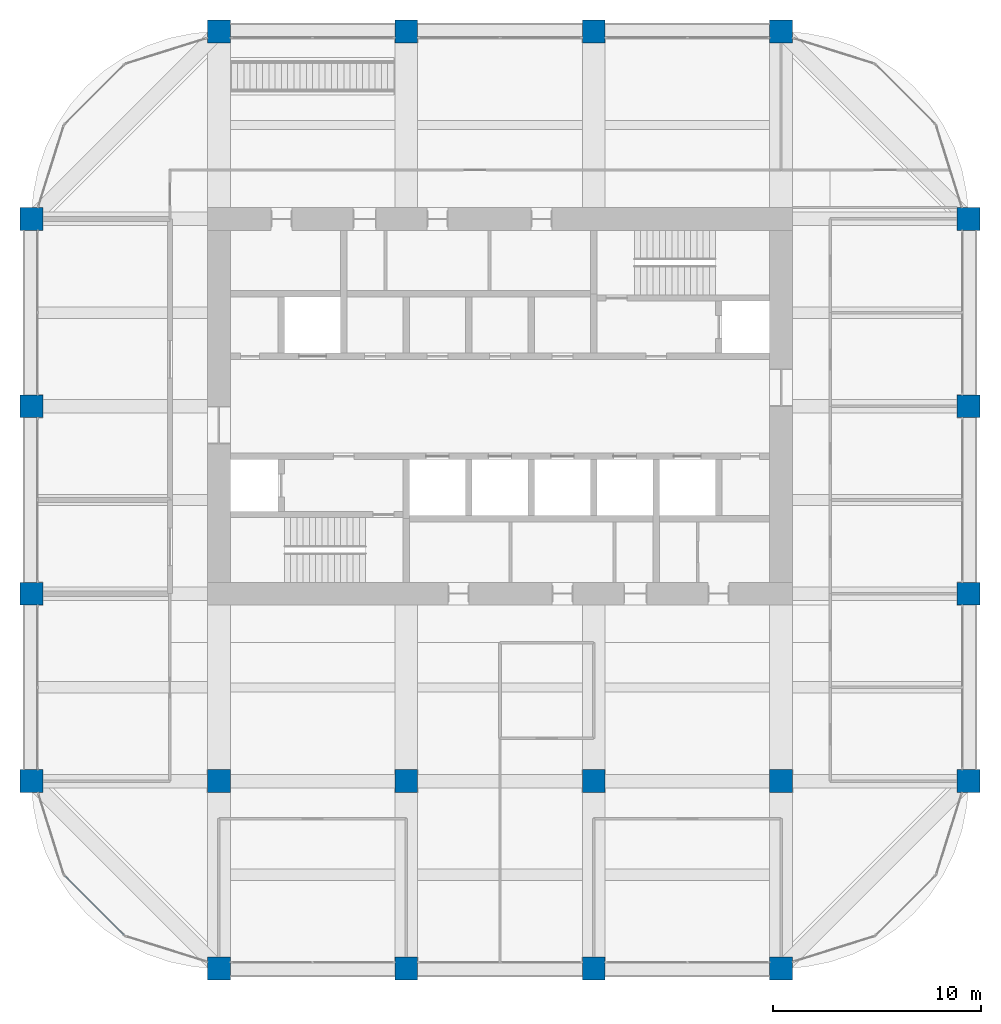
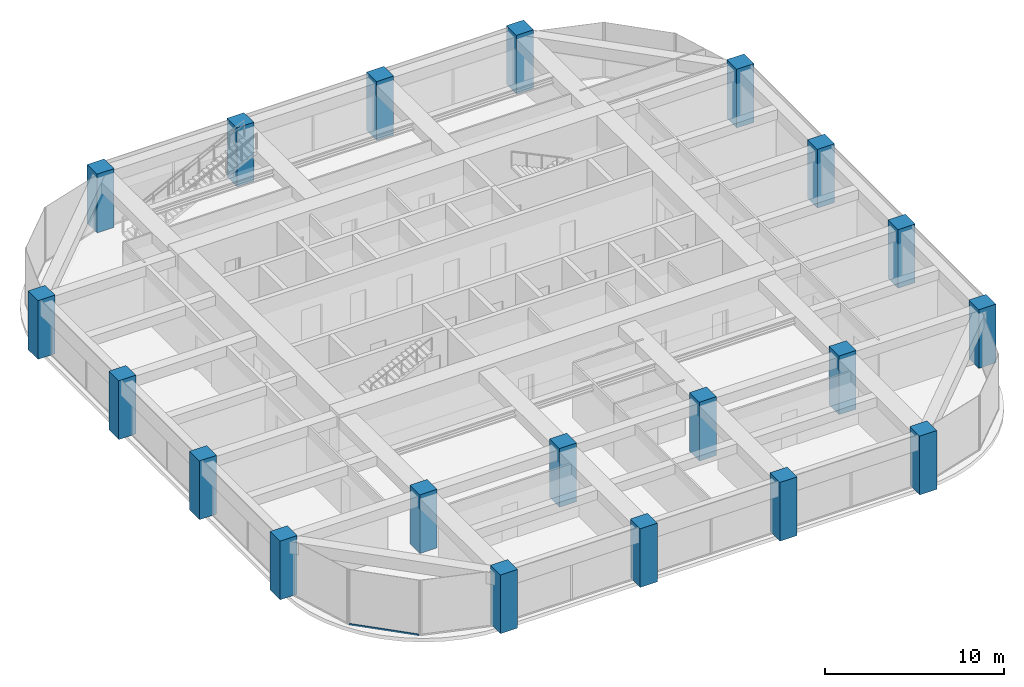
# One storey, part 1 of 44: 20 columns, 1 member, 1 element without a shape of its own.
"""IFC4 building model written with IfcOpenShell, lengths in metres."""

from ifc_helpers import new_model, si_unit, direction, frame, origin, origin_2d, place, context, subcontext, project, spatial, rectangle, hollow_rectangle, extrude, material, material_profile, profile_set, type_object, element, aggregate, save


model = new_model("IFC4")

# Units and contexts
model_context = context("Model", 3, precision=1e-05, world=origin(), true_north=direction((0.0, 1.0)))
body_context = subcontext(model_context, "Body", "Model", "MODEL_VIEW")
ifc_project = project(units=[si_unit("LENGTHUNIT", "METRE"), si_unit("AREAUNIT", "SQUARE_METRE"), si_unit("VOLUMEUNIT", "CUBIC_METRE"), si_unit("PLANEANGLEUNIT", "RADIAN"), si_unit("MASSUNIT", "GRAM", prefix="KILO")], contexts=[model_context])

# Site, building, storey
site_placement = place(None, origin())
site = spatial("IfcSite", under=ifc_project, at=site_placement, CompositionType="ELEMENT")
building_placement = place(site_placement, origin())
building = spatial("IfcBuilding", under=site, at=building_placement, Name="Zorevar Civic Tower", CompositionType="ELEMENT")
storey_placement = place(building_placement, frame((0.0, 0.0, 271.39990234375)))
storey = spatial("IfcBuildingStorey", under=building, at=storey_placement, Name="L66", CompositionType="ELEMENT", Elevation=271.39990234375)

# Columns
ifc_material_1 = material(Name="Concrete C50/60", Category="concrete")
ifc_material_profile_1 = material_profile(ifc_material_1, rectangle(XDim=1.10009765625, YDim=1.10009765625, at=origin_2d()), Name="RC 1100x1100")
ifc_profile_set_1 = profile_set([ifc_material_profile_1], Name="Concrete C50/60")
column_type = type_object("IfcColumnType", Name="Column RC 1100x1100", PredefinedType="COLUMN", material=ifc_profile_set_1)
for number, where, z_axis, x_axis, name in (
    (1, (9.0, 9.0, 0.0), (0.0, 0.0, 1.0), (1.0, 0.0, 0.0), "Column 3B L66"),
    (2, (9.0, 18.0, 0.0), (0.0, 0.0, 1.0), (1.0, 0.0, 0.0), "Column 3C L66"),
    (3, (9.0, 27.0, 0.0), (0.0, 0.0, 1.0), (1.0, 0.0, 0.0), "Column 3D L66"),
    (4, (9.0, 36.0, 0.0), (0.0, 0.0, 1.0), (1.0, 0.0, 0.0), "Column 3E L66"),
    (5, (18.0, 0.0, 0.0), (0.0, 0.0, 1.0), (1.0, 0.0, 0.0), "Column 4A L66"),
    (6, (18.0, 9.0, 0.0), (0.0, 0.0, 1.0), (1.0, 0.0, 0.0), "Column 4B L66"),
    (7, (18.0, 45.0, 0.0), (0.0, 0.0, 1.0), (1.0, 0.0, 0.0), "Column 4F L66"),
    (8, (27.0, 0.0, 0.0), (0.0, 0.0, 1.0), (1.0, 0.0, 0.0), "Column 5A L66"),
    (9, (27.0, 9.0, 0.0), (0.0, 0.0, 1.0), (1.0, 0.0, 0.0), "Column 5B L66"),
    (10, (27.0, 45.0, 0.0), (0.0, 0.0, 1.0), (1.0, 0.0, 0.0), "Column 5F L66"),
    (11, (36.0, 0.0, 0.0), (0.0, 0.0, 1.0), (1.0, 0.0, 0.0), "Column 6A L66"),
    (12, (36.0, 9.0, 0.0), (0.0, 0.0, 1.0), (1.0, 0.0, 0.0), "Column 6B L66"),
    (13, (36.0, 45.0, 0.0), (0.0, 0.0, 1.0), (1.0, 0.0, 0.0), "Column 6F L66"),
    (14, (45.0, 0.0, 0.0), (0.0, 0.0, 1.0), (1.0, 0.0, 0.0), "Column 7A L66"),
    (15, (45.0, 9.0, 0.0), (0.0, 0.0, 1.0), (1.0, 0.0, 0.0), "Column 7B L66"),
    (16, (45.0, 45.0, 0.0), (0.0, 0.0, 1.0), (1.0, 0.0, 0.0), "Column 7F L66"),
    (17, (54.0, 9.0, 0.0), (0.0, 0.0, 1.0), (1.0, 0.0, 0.0), "Column 8B L66"),
    (18, (54.0, 18.0, 0.0), (0.0, 0.0, 1.0), (1.0, 0.0, 0.0), "Column 8C L66"),
    (19, (54.0, 27.0, 0.0), (0.0, 0.0, 1.0), (1.0, 0.0, 0.0), "Column 8D L66"),
    (20, (54.0, 36.0, 0.0), (0.0, 0.0, 1.0), (1.0, 0.0, 0.0), "Column 8E L66"),
):
    element("IfcColumn", number, at=place(storey_placement, frame(where, z_axis=z_axis, x_axis=x_axis)), inside=storey, type_object=column_type, Name=name, PredefinedType="COLUMN", context=body_context, shape_type="SweptSolid", body=[
        extrude(rectangle(XDim=1.10009765625, YDim=1.10009765625, at=origin_2d()), origin(), (0.0, 0.0, 1.0), 4.0),
    ])

# Curtain wall, member
ifc_material_2 = material(Name="Dark grey solar-control glass in black aluminium frame", Category="aluminium")
curtain_wall_type = type_object("IfcCurtainWallType", Name="Curtain wall CW5 top zone", PredefinedType="NOTDEFINED", material=ifc_material_2)
curtain_wall_placement = place(storey_placement, origin())
curtain_wall = element("IfcCurtainWall", 21, at=curtain_wall_placement, inside=storey, type_object=curtain_wall_type, Name="CW5 L66", PredefinedType="NOTDEFINED")
ifc_material_3 = material(Name="Aluminium, black anodised", Category="aluminium")
ifc_material_profile_2 = material_profile(ifc_material_3, hollow_rectangle(XDim=0.06005859375, YDim=0.1201171875, WallThickness=0.0029296875, at=origin_2d()), Name="AL 120x60x3")
ifc_profile_set_2 = profile_set([ifc_material_profile_2], Name="Aluminium, black anodised")
member_type = type_object("IfcMemberType", Name="CW5 transom AL 120x60x3", PredefinedType="USERDEFINED", material=ifc_profile_set_2)
member_placement = place(storey_placement, frame((10.6015625, 4.44970703125, 0.030029296875), z_axis=(0.707106781187, -0.707106781187, 0.0), x_axis=(0.707106781187, 0.707106781187, 0.0)))
member = element("IfcMember", 22, at=member_placement, type_object=member_type, Name="CW5 sill transom", ObjectType="TRANSOM", PredefinedType="USERDEFINED", context=body_context, shape_type="SweptSolid", body=[
    extrude(hollow_rectangle(XDim=0.06005859375, YDim=0.1201171875, WallThickness=0.0029296875, at=origin_2d()), origin(), (0.0, 0.0, 1.0), 4.02783203125),
])
aggregate(curtain_wall, [member])

save(model, "model.ifc")
